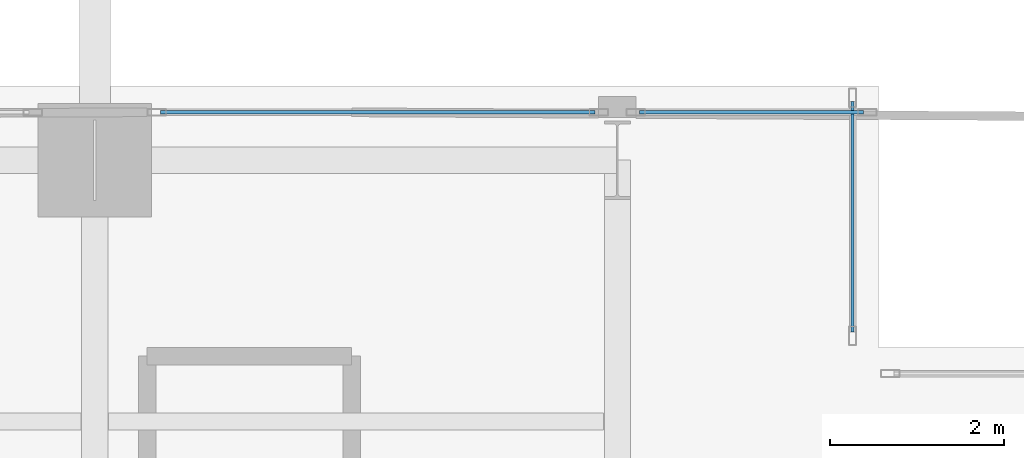
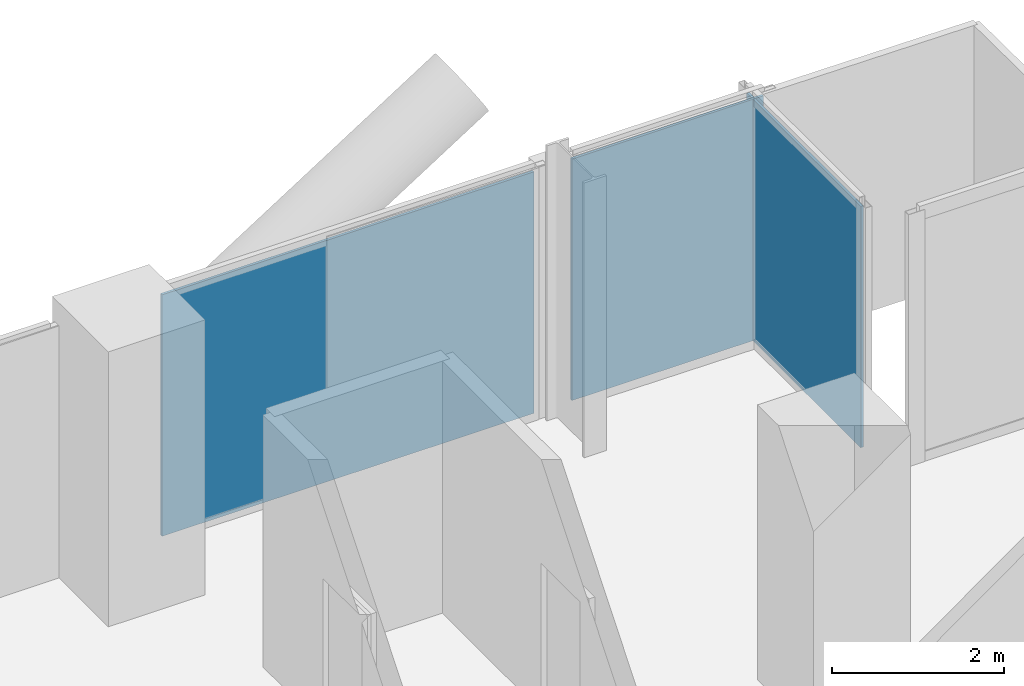
# One storey, part 18 of 27: 3 plates, 3 elements without a shape of their own.
"""IFC4 building model written with IfcOpenShell, lengths in metres."""

from ifc_helpers import new_model, si_unit, direction, frame, origin, origin_2d, place, context, subcontext, project, spatial, rectangle, extrude, material, layer, layer_set, type_object, element, aggregate, save


model = new_model("IFC4")

# Units and contexts
model_context = context("Model", 3, precision=1e-05, world=origin(), true_north=direction((0.0, 1.0)))
body_context = subcontext(model_context, "Body", "Model", "MODEL_VIEW")
ifc_project = project(units=[si_unit("LENGTHUNIT", "METRE"), si_unit("AREAUNIT", "SQUARE_METRE"), si_unit("VOLUMEUNIT", "CUBIC_METRE"), si_unit("PLANEANGLEUNIT", "RADIAN"), si_unit("MASSUNIT", "GRAM", prefix="KILO"), si_unit("THERMODYNAMICTEMPERATUREUNIT", "KELVIN"), si_unit("POWERUNIT", "WATT")], contexts=[model_context])

# Site, building, storey
site_placement = place(None, origin())
site = spatial("IfcSite", under=ifc_project, at=site_placement, CompositionType="ELEMENT")
building_placement = place(site_placement, origin())
building = spatial("IfcBuilding", under=site, at=building_placement, Name="Svarakhadi Broadcast Tower", CompositionType="ELEMENT")
storey_placement = place(building_placement, frame((0.0, 0.0, 90.89990234375)))
storey = spatial("IfcBuildingStorey", under=building, at=storey_placement, Name="L21", CompositionType="ELEMENT", Elevation=90.89990234375)

# Curtain wall, plate
ifc_material_1 = material(Name="Anodised Bronze Aluminium AA 6063-T6", Category="aluminium")
ifc_layer_1 = layer(ifc_material_1, 0.219970703125)
ifc_layer_set_1 = layer_set([ifc_layer_1], Name="Anodised Bronze Aluminium AA 6063-T6")
curtain_wall_type = type_object("IfcCurtainWallType", Name="CW_Sys_02", PredefinedType="NOTDEFINED", material=ifc_layer_set_1)
curtain_wall_1_placement = place(storey_placement, origin())
curtain_wall_1 = element("IfcCurtainWall", 1, at=curtain_wall_1_placement, inside=storey, type_object=curtain_wall_type, Name="L21 Unitised Facade Curtain Wall 06 Bay 3", PredefinedType="NOTDEFINED")
ifc_material_2 = material(Name="Double Low-E Laminated Acoustic Glass IGU 36 mm", Category="glass")
ifc_layer_2 = layer(ifc_material_2, 0.035888671875)
ifc_layer_set_2 = layer_set([ifc_layer_2], Name="Double Low-E Laminated Acoustic Glass IGU 36 mm")
plate_type = type_object("IfcPlateType", Name="CW_Sys_02_Pnl", PredefinedType="CURTAIN_PANEL", material=ifc_layer_set_2)
plate_1_placement = place(storey_placement, frame((15.25, 47.699951171875, 0.0751953125), z_axis=(0.0, 0.0, 1.0), x_axis=(1.0, 0.0, 0.0)))
plate_1 = element("IfcPlate", 2, at=plate_1_placement, type_object=plate_type, Name="CW-02 panel 1.1", PredefinedType="CURTAIN_PANEL", context=body_context, shape_type="SweptSolid", body=[
    extrude(rectangle(XDim=4.989990234375, YDim=0.035888671875, at=origin_2d()), origin(), (0.0, 0.0, 1.0), 3.425048828125),
])
aggregate(curtain_wall_1, [plate_1])

curtain_wall_2_placement = place(storey_placement, origin())
curtain_wall_2 = element("IfcCurtainWall", 3, at=curtain_wall_2_placement, inside=storey, type_object=curtain_wall_type, Name="L21 Unitised Facade Curtain Wall 06 Bay 4", PredefinedType="NOTDEFINED")
plate_2_placement = place(storey_placement, frame((19.5400390625, 47.699951171875, 0.0751953125), z_axis=(0.0, 0.0, 1.0), x_axis=(1.0, 0.0, 0.0)))
plate_2 = element("IfcPlate", 4, at=plate_2_placement, type_object=plate_type, Name="CW-02 panel 1.1", PredefinedType="CURTAIN_PANEL", context=body_context, shape_type="SweptSolid", body=[
    extrude(rectangle(XDim=2.570068359375, YDim=0.035888671875, at=origin_2d()), origin(), (0.0, 0.0, 1.0), 3.425048828125),
])
aggregate(curtain_wall_2, [plate_2])

curtain_wall_3_placement = place(storey_placement, origin())
curtain_wall_3 = element("IfcCurtainWall", 5, at=curtain_wall_3_placement, inside=storey, type_object=curtain_wall_type, Name="L21 Unitised Facade Curtain Wall 07", PredefinedType="NOTDEFINED")
plate_3_placement = place(storey_placement, frame((20.699951171875, 46.5, 0.0751953125), z_axis=(0.0, 0.0, 1.0), x_axis=(0.0, -1.0, 0.0)))
plate_3 = element("IfcPlate", 6, at=plate_3_placement, type_object=plate_type, Name="CW-02 panel 1.1", PredefinedType="CURTAIN_PANEL", context=body_context, shape_type="SweptSolid", body=[
    extrude(rectangle(XDim=2.64990234375, YDim=0.035888671875, at=origin_2d()), origin(), (0.0, 0.0, 1.0), 3.425048828125),
])
aggregate(curtain_wall_3, [plate_3])

save(model, "model.ifc")
